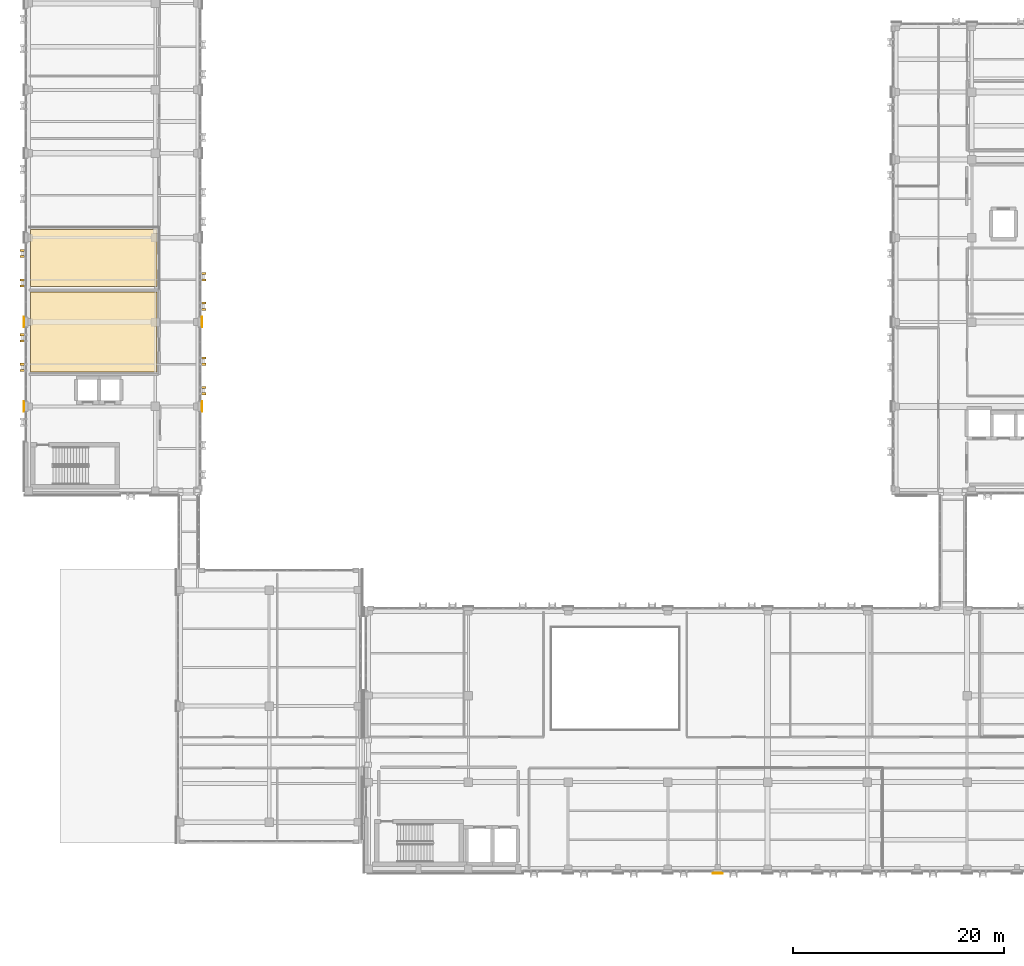
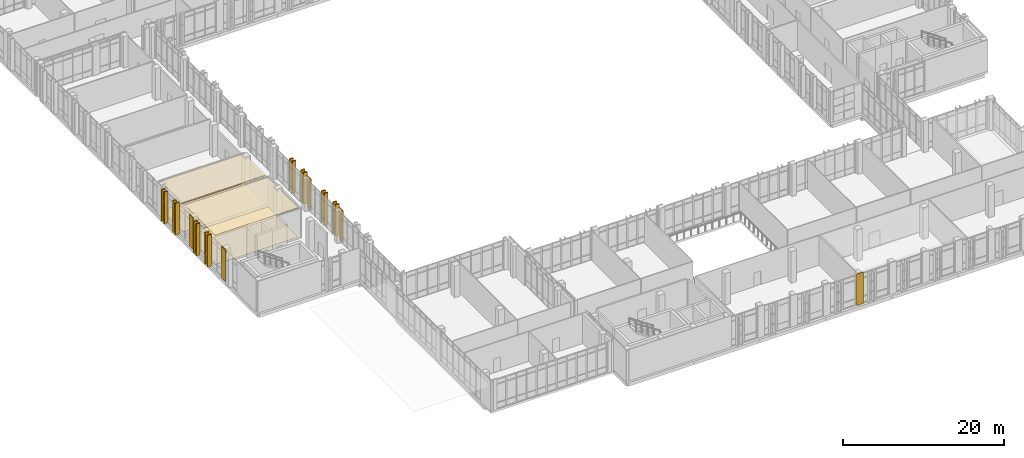
# One storey, part 173 of 189: 25 coverings.
"""IFC4 building model written with IfcOpenShell, lengths in metres."""

from ifc_helpers import new_model, si_unit, direction, frame, origin, origin_2d, place, context, subcontext, project, spatial, polyline, rectangle, outline, extrude, material, layer, layer_set, type_object, element, save


model = new_model("IFC4")

# Units and contexts
model_context = context("Model", 3, precision=1e-05, world=origin(), true_north=direction((0.0, 1.0)))
body_context = subcontext(model_context, "Body", "Model", "MODEL_VIEW")
ifc_project = project(units=[si_unit("LENGTHUNIT", "METRE"), si_unit("AREAUNIT", "SQUARE_METRE"), si_unit("VOLUMEUNIT", "CUBIC_METRE"), si_unit("PLANEANGLEUNIT", "RADIAN"), si_unit("MASSUNIT", "GRAM", prefix="KILO")], contexts=[model_context])

# Site, building, storey
site_placement = place(None, origin())
site = spatial("IfcSite", under=ifc_project, at=site_placement, CompositionType="ELEMENT")
building_placement = place(site_placement, origin())
building = spatial("IfcBuilding", under=site, at=building_placement, Name="Qalavern Law Courts", CompositionType="ELEMENT")
storey_placement = place(building_placement, frame((0.0, 0.0, 5.39990234375)))
storey = spatial("IfcBuildingStorey", under=building, at=storey_placement, Name="L01", CompositionType="ELEMENT", Elevation=5.39990234375)

# Coverings
ifc_material_1 = material(Name="Precast concrete C40/50", Category="concrete")
ifc_layer_1 = layer(ifc_material_1, 0.199951171875)
ifc_layer_set_1 = layer_set([ifc_layer_1], Name="Precast concrete C40/50")
covering_type_1 = type_object("IfcCoveringType", Name="ENV-BLD-1", PredefinedType="CLADDING", material=ifc_layer_set_1)
for number, where, z_axis, x_axis, name in (
    (1, (18.947509765625, 50.60009765625, 0.005126953125), (0.0, 0.0, 1.0), (1.0, 0.0, 0.0), "Absheron stone facade blade 0201"),
    (2, (18.947509765625, 51.199951171875, 0.005126953125), (0.0, 0.0, 1.0), (1.0, 0.0, 0.0), "Absheron stone facade blade 0202"),
    (3, (18.947509765625, 53.39990234375, 0.005126953125), (0.0, 0.0, 1.0), (1.0, 0.0, 0.0), "Absheron stone facade blade 0203"),
    (4, (18.947509765625, 54.0, 0.005126953125), (0.0, 0.0, 1.0), (1.0, 0.0, 0.0), "Absheron stone facade blade 0204"),
    (5, (18.947509765625, 58.60009765625, 0.005126953125), (0.0, 0.0, 1.0), (1.0, 0.0, 0.0), "Absheron stone facade blade 0205"),
    (6, (18.947509765625, 59.199951171875, 0.005126953125), (0.0, 0.0, 1.0), (1.0, 0.0, 0.0), "Absheron stone facade blade 0206"),
    (7, (18.947509765625, 61.39990234375, 0.005126953125), (0.0, 0.0, 1.0), (1.0, 0.0, 0.0), "Absheron stone facade blade 0207"),
    (8, (18.947509765625, 62.0, 0.005126953125), (0.0, 0.0, 1.0), (1.0, 0.0, 0.0), "Absheron stone facade blade 0208"),
    (9, (1.8525390625, 64.199951171875, 0.005126953125), (0.0, 0.0, 1.0), (-1.0, 0.0, 0.0), "Absheron stone facade blade 0237"),
    (10, (1.8525390625, 63.60009765625, 0.005126953125), (0.0, 0.0, 1.0), (-1.0, 0.0, 0.0), "Absheron stone facade blade 0238"),
    (11, (1.8525390625, 61.39990234375, 0.005126953125), (0.0, 0.0, 1.0), (-1.0, 0.0, 0.0), "Absheron stone facade blade 0239"),
    (12, (1.8525390625, 60.800048828125, 0.005126953125), (0.0, 0.0, 1.0), (-1.0, 0.0, 0.0), "Absheron stone facade blade 0240"),
    (13, (1.8525390625, 56.199951171875, 0.005126953125), (0.0, 0.0, 1.0), (-1.0, 0.0, 0.0), "Absheron stone facade blade 0241"),
    (14, (1.8525390625, 55.60009765625, 0.005126953125), (0.0, 0.0, 1.0), (-1.0, 0.0, 0.0), "Absheron stone facade blade 0242"),
    (15, (1.8525390625, 53.39990234375, 0.005126953125), (0.0, 0.0, 1.0), (-1.0, 0.0, 0.0), "Absheron stone facade blade 0243"),
    (16, (1.8525390625, 52.800048828125, 0.005126953125), (0.0, 0.0, 1.0), (-1.0, 0.0, 0.0), "Absheron stone facade blade 0244"),
):
    element("IfcCovering", number, at=place(storey_placement, frame(where, z_axis=z_axis, x_axis=x_axis)), inside=storey, type_object=covering_type_1, Name=name, PredefinedType="CLADDING", context=body_context, shape_type="SweptSolid", body=[
        extrude(rectangle(XDim=0.5400390625, YDim=0.199951171875, at=origin_2d()), origin(), (0.0, 0.0, 1.0), 4.7900390625),
    ])
ifc_layer_2 = layer(ifc_material_1, 0.072021484375)
ifc_layer_set_2 = layer_set([ifc_layer_2], Name="Precast concrete C40/50")
covering_type_2 = type_object("IfcCoveringType", Name="ENV-CLD-2", PredefinedType="CLADDING", material=ifc_layer_set_2)
for number, where, z_axis, x_axis, name in (
    (17, (67.7099609375, 5.1669921875, 0.01025390625), (0.0, 0.0, 1.0), (1.0, 0.0, 0.0), "V2 Absheron limestone pier facing L01 south 5"),
    (18, (18.8330078125, 49.39990234375, 0.01025390625), (0.0, 0.0, 1.0), (0.0, 1.0, 0.0), "V3 Absheron limestone pier facing L01 east 2"),
    (19, (18.8330078125, 57.39990234375, 0.01025390625), (0.0, 0.0, 1.0), (0.0, 1.0, 0.0), "V3 Absheron limestone pier facing L01 east 3"),
    (20, (1.967041015625, 57.39990234375, 0.01025390625), (0.0, 0.0, 1.0), (0.0, -1.0, 0.0), "V3 Absheron limestone pier facing L01 west 6"),
    (21, (1.967041015625, 49.39990234375, 0.01025390625), (0.0, 0.0, 1.0), (0.0, -1.0, 0.0), "V3 Absheron limestone pier facing L01 west 7"),
):
    element("IfcCovering", number, at=place(storey_placement, frame(where, z_axis=z_axis, x_axis=x_axis)), inside=storey, type_object=covering_type_2, Name=name, PredefinedType="CLADDING", context=body_context, shape_type="SweptSolid", body=[
        extrude(rectangle(XDim=0.97998046875, YDim=0.072021484375, at=origin_2d()), origin(), (0.0, 0.0, 1.0), 4.780029296875),
    ])
ifc_material_2 = material(Name="Perforated gypsum and mineral-wool acoustic ceiling")
ifc_layer_3 = layer(ifc_material_2, 0.0458984375)
ifc_layer_set_3 = layer_set([ifc_layer_3], Name="Perforated gypsum and mineral-wool acoustic ceiling")
covering_type_3 = type_object("IfcCoveringType", Name="INT-CEIL-2", PredefinedType="CEILING", material=ifc_layer_set_3)
covering_1_placement = place(storey_placement, frame((0.0, 0.0, 4.464111328125)))
element("IfcCovering", 22, at=covering_1_placement, inside=storey, type_object=covering_type_3, Name="Criminal Courtroom acoustic ceiling L01", PredefinedType="CEILING", context=body_context, shape_type="SweptSolid", body=[
    extrude(outline(polyline([(2.590087890625, 52.64990234375), (14.580078125, 52.64990234375), (14.580078125, 60.22802734375), (2.590087890625, 60.22802734375), (2.590087890625, 52.64990234375)])), origin(), (0.0, 0.0, 1.0), 0.0458984375),
])
ifc_material_3 = material(Name="Slatted oak acoustic timber baffle ceiling", Category="wood")
ifc_layer_4 = layer(ifc_material_3, 0.055908203125)
ifc_layer_set_4 = layer_set([ifc_layer_4], Name="Slatted oak acoustic timber baffle ceiling")
covering_type_4 = type_object("IfcCoveringType", Name="INT-CEIL-3", PredefinedType="CEILING", material=ifc_layer_set_4)
covering_2_placement = place(storey_placement, frame((0.0, 0.0, 4.4541015625)))
element("IfcCovering", 23, at=covering_2_placement, inside=storey, type_object=covering_type_4, Name="Criminal Courtroom acoustic ceiling L01", PredefinedType="CEILING", context=body_context, shape_type="SweptSolid", body=[
    extrude(outline(polyline([(2.590087890625, 60.76806640625), (14.580078125, 60.76806640625), (14.580078125, 66.1640625), (2.590087890625, 66.1640625), (2.590087890625, 60.76806640625)])), origin(), (0.0, 0.0, 1.0), 0.055908203125),
])
ifc_material_4 = material(Name="Polished Absheron stone terrazzo flooring", Category="masonry")
ifc_layer_5 = layer(ifc_material_4, 0.030029296875)
ifc_layer_set_5 = layer_set([ifc_layer_5], Name="Polished Absheron stone terrazzo flooring")
covering_type_5 = type_object("IfcCoveringType", Name="INT-FLR-2", PredefinedType="FLOORING", material=ifc_layer_set_5)
covering_3_placement = place(storey_placement, origin())
element("IfcCovering", 24, at=covering_3_placement, inside=storey, type_object=covering_type_5, Name="Criminal Courtroom finish flooring L01", PredefinedType="FLOORING", context=body_context, shape_type="SweptSolid", body=[
    extrude(outline(polyline([(2.590087890625, 52.64990234375), (14.580078125, 52.64990234375), (14.580078125, 60.22802734375), (2.590087890625, 60.22802734375), (2.590087890625, 52.64990234375)])), origin(), (0.0, 0.0, 1.0), 0.030029296875),
])
ifc_material_5 = material(Name="Acoustic engineered oak courtroom flooring")
ifc_layer_6 = layer(ifc_material_5, 0.0380859375)
ifc_layer_set_6 = layer_set([ifc_layer_6], Name="Acoustic engineered oak courtroom flooring")
covering_type_6 = type_object("IfcCoveringType", Name="INT-FLR-3", PredefinedType="FLOORING", material=ifc_layer_set_6)
covering_4_placement = place(storey_placement, origin())
element("IfcCovering", 25, at=covering_4_placement, inside=storey, type_object=covering_type_6, Name="Criminal Courtroom finish flooring L01", PredefinedType="FLOORING", context=body_context, shape_type="SweptSolid", body=[
    extrude(outline(polyline([(2.590087890625, 60.76806640625), (14.580078125, 60.76806640625), (14.580078125, 66.1640625), (2.590087890625, 66.1640625), (2.590087890625, 60.76806640625)])), origin(), (0.0, 0.0, 1.0), 0.0380859375),
])

save(model, "model.ifc")
